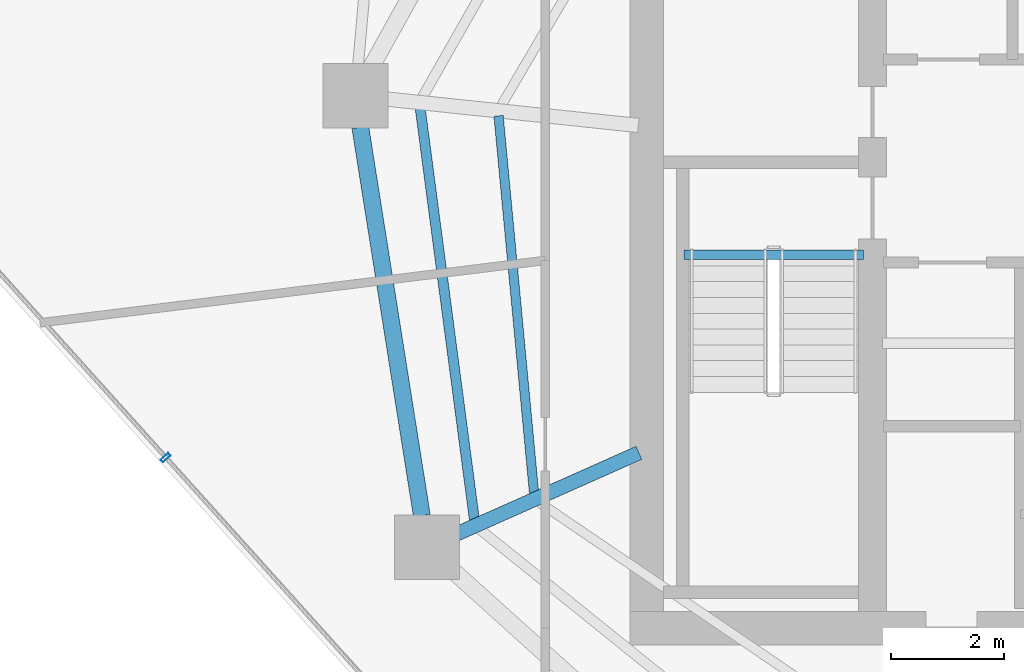
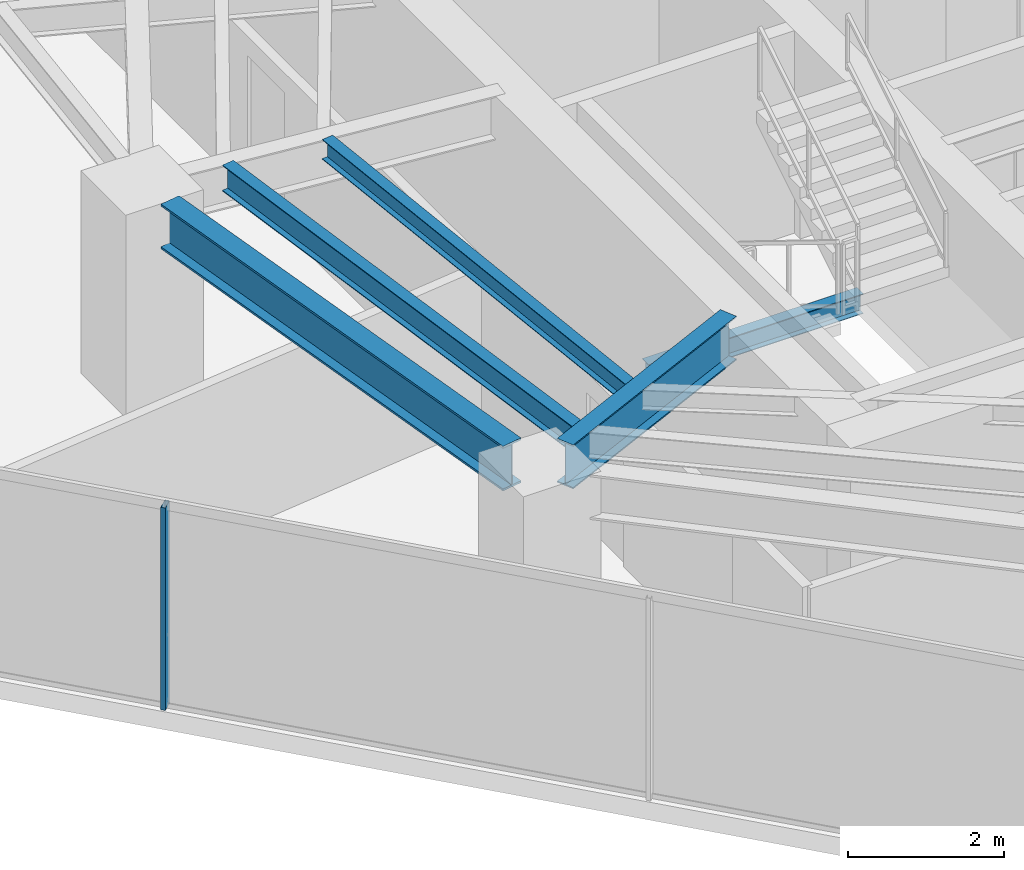
# One storey, part 7 of 27: 5 beams, 1 member, 1 element without a shape of its own.
"""IFC4 building model written with IfcOpenShell, lengths in metres."""

from ifc_helpers import new_model, si_unit, direction, frame, origin, origin_2d, place, context, subcontext, project, spatial, hollow_rectangle, i_section, extrude, material, layer, layer_set, material_profile, profile_set, type_object, element, aggregate, save


model = new_model("IFC4")

# Units and contexts
model_context = context("Model", 3, precision=1e-05, world=origin(), true_north=direction((0.0, 1.0)))
body_context = subcontext(model_context, "Body", "Model", "MODEL_VIEW")
ifc_project = project(units=[si_unit("LENGTHUNIT", "METRE"), si_unit("AREAUNIT", "SQUARE_METRE"), si_unit("VOLUMEUNIT", "CUBIC_METRE"), si_unit("PLANEANGLEUNIT", "RADIAN"), si_unit("MASSUNIT", "GRAM", prefix="KILO")], contexts=[model_context])

# Site, building, storey
site_placement = place(None, origin())
site = spatial("IfcSite", under=ifc_project, at=site_placement, CompositionType="ELEMENT")
building_placement = place(site_placement, origin())
building = spatial("IfcBuilding", under=site, at=building_placement, Name="Qarnah Convention Tower", CompositionType="ELEMENT")
storey_placement = place(building_placement, frame((0.0, 0.0, 110.85009765625)))
storey = spatial("IfcBuildingStorey", under=building, at=storey_placement, Name="L29", CompositionType="ELEMENT", Elevation=110.85009765625)

# Beams
ifc_material_1 = material(Name="Structural steel S355JR", Category="steel")
ifc_material_profile_1 = material_profile(ifc_material_1, i_section(OverallWidth=0.166015625, OverallDepth=0.31201171875, WebThickness=0.007080078125, FlangeThickness=0.010986328125, at=origin_2d()), Name="W310X45")
ifc_profile_set_1 = profile_set([ifc_material_profile_1], Name="Structural steel S355JR")
beam_type_1 = type_object("IfcBeamType", Name="BM-JST-W310", PredefinedType="JOIST", material=ifc_profile_set_1)
beam_1_placement = place(storey_placement, frame((27.4599609375, 25.217041015625, -0.156005859375), z_axis=(1.0, 0.0, 0.0), x_axis=(0.0, 1.0, 0.0)))
element("IfcBeam", 1, at=beam_1_placement, inside=storey, type_object=beam_type_1, Name="L29 stair landing trimmer beam BM-L29-ST1-TRM", PredefinedType="BEAM", context=body_context, shape_type="SweptSolid", body=[
    extrude(i_section(OverallWidth=0.166015625, OverallDepth=0.31201171875, WebThickness=0.007080078125, FlangeThickness=0.010986328125, at=origin_2d()), origin(), (0.0, 0.0, 1.0), 3.179931640625),
])
beam_2_placement = place(storey_placement, frame((24.174072265625, 27.679931640625, 3.013916015625), z_axis=(0.093676486558, -0.995602689764, 0.0), x_axis=(0.995602689764, 0.093676486558, 0.0)))
element("IfcBeam", 2, at=beam_2_placement, inside=storey, type_object=beam_type_1, Name="L29 joist BM-L29-IJST-05", PredefinedType="JOIST", context=body_context, shape_type="SweptSolid", body=[
    extrude(i_section(OverallWidth=0.166015625, OverallDepth=0.31201171875, WebThickness=0.007080078125, FlangeThickness=0.010986328125, at=origin_2d()), origin(), (0.0, 0.0, 1.0), 6.734375),
])
ifc_material_profile_2 = material_profile(ifc_material_1, i_section(OverallWidth=0.177978515625, OverallDepth=0.407958984375, WebThickness=0.008056640625, FlangeThickness=0.012939453125, at=origin_2d()), Name="W410X60")
ifc_profile_set_2 = profile_set([ifc_material_profile_2], Name="Structural steel S355JR")
beam_type_2 = type_object("IfcBeamType", Name="BM-JST-W410", PredefinedType="JOIST", material=ifc_profile_set_2)
beam_3_placement = place(storey_placement, frame((22.783935546875, 27.827880859375, 2.9658203125), z_axis=(0.130550291015, -0.991441688409, 0.0), x_axis=(0.991441688409, 0.130550291015, 0.0)))
element("IfcBeam", 3, at=beam_3_placement, inside=storey, type_object=beam_type_2, Name="L29 joist BM-L29-SJST-05", PredefinedType="JOIST", context=body_context, shape_type="SweptSolid", body=[
    extrude(i_section(OverallWidth=0.177978515625, OverallDepth=0.407958984375, WebThickness=0.008056640625, FlangeThickness=0.012939453125, at=origin_2d()), origin(), (0.0, 0.0, 1.0), 7.385009765625),
])
ifc_material_profile_3 = material_profile(ifc_material_1, i_section(OverallWidth=0.25390625, OverallDepth=0.68798828125, WebThickness=0.012939453125, FlangeThickness=0.02099609375, at=origin_2d()), Name="W690X152")
ifc_profile_set_3 = profile_set([ifc_material_profile_3], Name="Structural steel S355JR")
beam_type_3 = type_object("IfcBeamType", Name="BM-RAD-W690", PredefinedType="BEAM", material=ifc_profile_set_3)
beam_4_placement = place(storey_placement, frame((26.6630859375, 21.708984375, 2.825927734375), z_axis=(-0.913588053958, -0.4066409567, 0.0), x_axis=(0.4066409567, -0.913588053958, 0.0)))
element("IfcBeam", 4, at=beam_4_placement, inside=storey, type_object=beam_type_3, Name="L29 beam BM-L29-RAD-06", PredefinedType="BEAM", context=body_context, shape_type="SweptSolid", body=[
    extrude(i_section(OverallWidth=0.25390625, OverallDepth=0.68798828125, WebThickness=0.012939453125, FlangeThickness=0.02099609375, at=origin_2d()), origin(), (0.0, 0.0, 1.0), 3.560791015625),
])
ifc_material_profile_4 = material_profile(ifc_material_1, i_section(OverallWidth=0.300048828125, OverallDepth=0.699951171875, WebThickness=0.01708984375, FlangeThickness=0.031982421875, at=origin_2d()), Name="HEB700")
ifc_profile_set_4 = profile_set([ifc_material_profile_4], Name="Structural steel S355JR")
beam_type_4 = type_object("IfcBeamType", Name="BM-RING-HEB700", PredefinedType="BEAM", material=ifc_profile_set_4)
beam_5_placement = place(storey_placement, frame((21.72412109375, 27.47802734375, 2.81982421875), z_axis=(0.156482310627, -0.987680761411, 0.0), x_axis=(0.987680761411, 0.156482310627, 0.0)))
element("IfcBeam", 5, at=beam_5_placement, inside=storey, type_object=beam_type_4, Name="L29 beam BM-L29-SPN-05", PredefinedType="BEAM", context=body_context, shape_type="SweptSolid", body=[
    extrude(i_section(OverallWidth=0.300048828125, OverallDepth=0.699951171875, WebThickness=0.01708984375, FlangeThickness=0.031982421875, at=origin_2d()), origin(), (0.0, 0.0, 1.0), 6.970947265625),
])

# Curtain wall, member
ifc_material_2 = material(Name="Tempered Low-E dark glass", Category="glass")
ifc_layer = layer(ifc_material_2, 0.169921875)
ifc_layer_set = layer_set([ifc_layer], Name="Tempered Low-E dark glass")
curtain_wall_type = type_object("IfcCurtainWallType", Name="CWS-02", PredefinedType="NOTDEFINED", material=ifc_layer_set)
curtain_wall_placement = place(storey_placement, origin())
curtain_wall = element("IfcCurtainWall", 6, at=curtain_wall_placement, inside=storey, type_object=curtain_wall_type, Name="L29 unitised curtain wall CW-L29-F3", PredefinedType="NOTDEFINED")
ifc_material_3 = material(Name="Black anodised aluminium", Category="aluminium")
ifc_material_profile_5 = material_profile(ifc_material_3, hollow_rectangle(XDim=0.06494140625, YDim=0.179931640625, WallThickness=0.00390625, at=origin_2d()), Name="MUL-65X180")
ifc_profile_set_5 = profile_set([ifc_material_profile_5], Name="Black anodised aluminium")
member_type = type_object("IfcMemberType", Name="MUL-T2", PredefinedType="MULLION", material=ifc_profile_set_5)
member_placement = place(storey_placement, frame((18.273193359375, 21.623291015625, 0.0), z_axis=(0.0, 0.0, 1.0), x_axis=(-0.669121773521, 0.743152778505, 0.0)))
member = element("IfcMember", 7, at=member_placement, type_object=member_type, Name="CW-L29-F3 mullion 5", PredefinedType="MULLION", context=body_context, shape_type="SweptSolid", body=[
    extrude(hollow_rectangle(XDim=0.06494140625, YDim=0.179931640625, WallThickness=0.00390625, at=origin_2d()), origin(), (0.0, 0.0, 1.0), 3.169921875),
])
aggregate(curtain_wall, [member])

save(model, "model.ifc")
